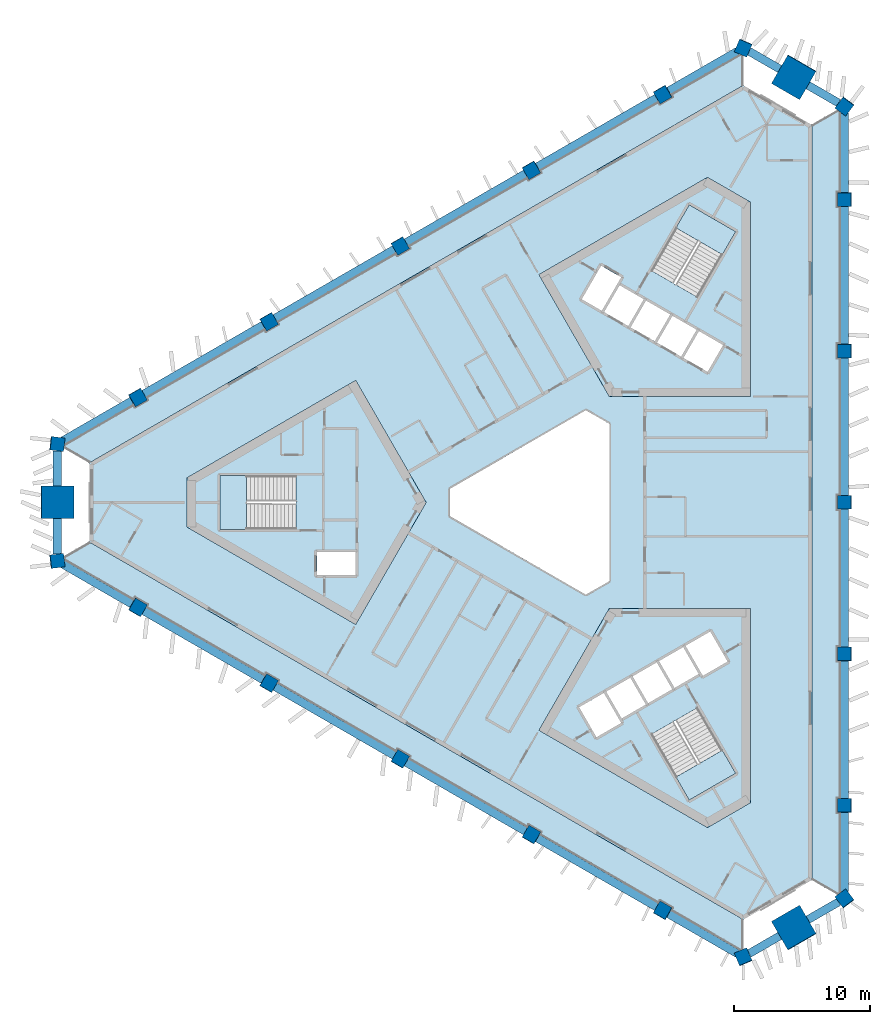
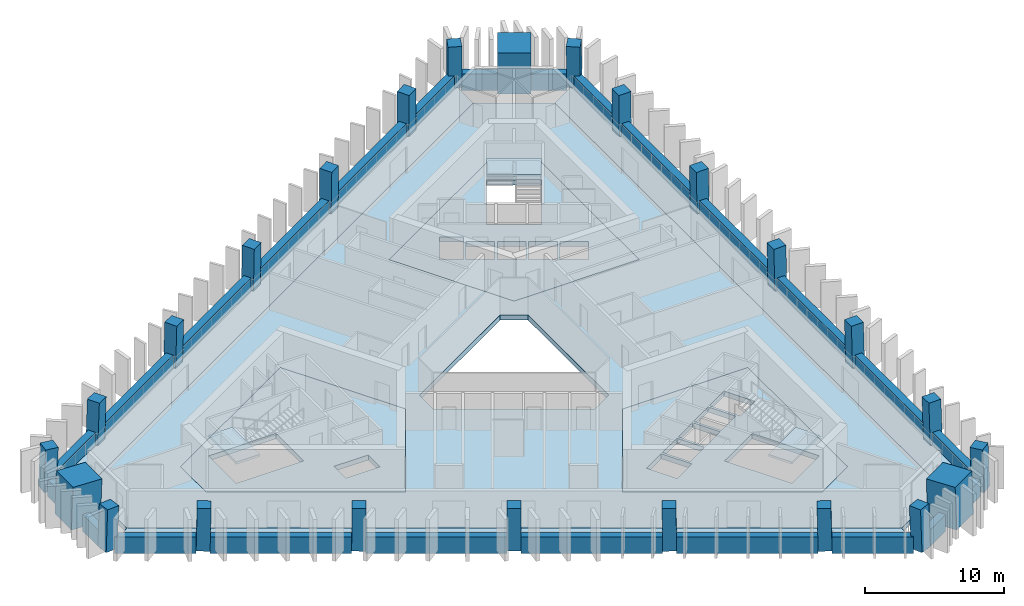
# One storey, part 1 of 10: 24 beams, 24 columns, 10 slabs, 3 elements without a shape of their own.
"""IFC4 building model written with IfcOpenShell, lengths in metres."""

from ifc_helpers import new_model, si_unit, direction, frame, origin, origin_2d, place, context, subcontext, project, spatial, polyline, rectangle, outline, extrude, material, layer, layer_set, material_profile, profile_set, type_object, element, aggregate, save


model = new_model("IFC4")

# Units and contexts
model_context = context("Model", 3, precision=1e-05, world=origin(), true_north=direction((0.0, 1.0)))
body_context = subcontext(model_context, "Body", "Model", "MODEL_VIEW")
ifc_project = project(units=[si_unit("LENGTHUNIT", "METRE"), si_unit("AREAUNIT", "SQUARE_METRE"), si_unit("VOLUMEUNIT", "CUBIC_METRE"), si_unit("PLANEANGLEUNIT", "RADIAN"), si_unit("MASSUNIT", "GRAM", prefix="KILO")], contexts=[model_context])

# Site, building, storey
site_placement = place(None, origin())
site = spatial("IfcSite", under=ifc_project, at=site_placement, CompositionType="ELEMENT")
building_placement = place(site_placement, origin())
building = spatial("IfcBuilding", under=site, at=building_placement, Name="Jabali Bay Hotel Tower and Convention Centre", CompositionType="ELEMENT")
storey_placement = place(building_placement, frame((0.0, 0.0, 140.10009765625)))
storey = spatial("IfcBuildingStorey", under=building, at=storey_placement, Name="L34", CompositionType="ELEMENT", Elevation=140.10009765625)

# Columns
ifc_material_1 = material(Name="Concrete C60", Category="concrete")
ifc_material_profile_1 = material_profile(ifc_material_1, rectangle(XDim=1.0, YDim=1.0, at=origin_2d()), Name="Frame column 1000")
ifc_profile_set_1 = profile_set([ifc_material_profile_1], Name="Concrete C60")
column_type_1 = type_object("IfcColumnType", Name="Frame column 1000", PredefinedType="COLUMN", material=ifc_profile_set_1)
column_1_placement = place(storey_placement, frame((83.42626953125, 110.06884765625, 0.0), z_axis=(-0.008376454378, -0.028163354484, 0.999568237028), x_axis=(0.865850871468, 0.499846877556, 0.02133933866)))
element("IfcColumn", 1, at=column_1_placement, inside=storey, type_object=column_type_1, Name="FC3 F1.1 L34", PredefinedType="COLUMN", context=body_context, shape_type="SweptSolid", body=[
    extrude(rectangle(XDim=1.0, YDim=1.0, at=origin_2d()), origin(), (0.0, 0.0, 1.0), 3.70166015625),
])
column_2_placement = place(storey_placement, frame((73.75634765625, 104.48583984375, 0.0), z_axis=(0.000857578916, -0.022824792675, 0.999739112668), x_axis=(0.866060219769, 0.499825848733, 0.01066848966)))
element("IfcColumn", 2, at=column_2_placement, inside=storey, type_object=column_type_1, Name="FC3 F1.2 L34", PredefinedType="COLUMN", context=body_context, shape_type="SweptSolid", body=[
    extrude(rectangle(XDim=1.0, YDim=1.0, at=origin_2d()), origin(), (0.0, 0.0, 1.0), 3.700927734375),
])
column_3_placement = place(storey_placement, frame((64.08642578125, 98.90283203125, 0.0), z_axis=(0.010093620709, -0.017482414954, 0.999796221231), x_axis=(0.866020200589, 0.50000901209, 8.5616e-08)))
element("IfcColumn", 3, at=column_3_placement, inside=storey, type_object=column_type_1, Name="FC3 F1.3 L34", PredefinedType="COLUMN", context=body_context, shape_type="SweptSolid", body=[
    extrude(rectangle(XDim=1.0, YDim=1.0, at=origin_2d()), origin(), (0.0, 0.0, 1.0), 3.70068359375),
])
column_4_placement = place(storey_placement, frame((54.41650390625, 93.320068359375, 0.0), z_axis=(0.019328501455, -0.012204002625, 0.999738701537), x_axis=(-0.498096589224, 0.866885952098, 0.020212220507)))
element("IfcColumn", 4, at=column_4_placement, inside=storey, type_object=column_type_1, Name="FC3 F1.4 L34", PredefinedType="COLUMN", context=body_context, shape_type="SweptSolid", body=[
    extrude(rectangle(XDim=1.0, YDim=1.0, at=origin_2d()), origin(), (0.0, 0.0, 1.0), 3.700927734375),
])
for number, where, z_axis, x_axis, name in (
    (5, (44.74658203125, 87.737060546875, 0.0), (0.02855911485, -0.006793507689, 0.999569019734), (-0.500407643461, 0.865554709988, 0.020180049142), "FC3 F1.5 L34"),
    (6, (44.74658203125, 72.262939453125, 0.0), (0.02855911485, 0.006793507689, 0.999569019734), (-0.865318766308, 0.500768301983, 0.021319953197), "FC3 F2.1 L34"),
):
    element("IfcColumn", number, at=place(storey_placement, frame(where, z_axis=z_axis, x_axis=x_axis)), inside=storey, type_object=column_type_1, Name=name, PredefinedType="COLUMN", context=body_context, shape_type="SweptSolid", body=[
        extrude(rectangle(XDim=1.0, YDim=1.0, at=origin_2d()), origin(), (0.0, 0.0, 1.0), 3.70166015625),
    ])
column_5_placement = place(storey_placement, frame((54.41650390625, 66.679931640625, 0.0), z_axis=(0.019328501455, 0.012204002625, 0.999738701537), x_axis=(-0.866906106124, 0.498357109285, 0.010676834304)))
element("IfcColumn", 7, at=column_5_placement, inside=storey, type_object=column_type_1, Name="FC3 F2.2 L34", PredefinedType="COLUMN", context=body_context, shape_type="SweptSolid", body=[
    extrude(rectangle(XDim=1.0, YDim=1.0, at=origin_2d()), origin(), (0.0, 0.0, 1.0), 3.700927734375),
])
column_6_placement = place(storey_placement, frame((64.08642578125, 61.09716796875, 0.0), z_axis=(0.010093620709, 0.017482414954, 0.999796221231), x_axis=(-0.499907122366, -0.865843723195, 0.020187025824)))
element("IfcColumn", 8, at=column_6_placement, inside=storey, type_object=column_type_1, Name="FC3 F2.3 L34", PredefinedType="COLUMN", context=body_context, shape_type="SweptSolid", body=[
    extrude(rectangle(XDim=1.0, YDim=1.0, at=origin_2d()), origin(), (0.0, 0.0, 1.0), 3.70068359375),
])
column_7_placement = place(storey_placement, frame((73.75634765625, 55.51416015625, 0.0), z_axis=(0.000857578916, 0.022824792675, 0.999739112668), x_axis=(-0.499938956565, -0.865825126557, 0.020196285069)))
element("IfcColumn", 9, at=column_7_placement, inside=storey, type_object=column_type_1, Name="FC3 F2.4 L34", PredefinedType="COLUMN", context=body_context, shape_type="SweptSolid", body=[
    extrude(rectangle(XDim=1.0, YDim=1.0, at=origin_2d()), origin(), (0.0, 0.0, 1.0), 3.700927734375),
])
for number, where, z_axis, x_axis, name in (
    (10, (83.42626953125, 49.93115234375, 0.0), (-0.008376454378, 0.028163354484, 0.999568237028), (-0.500232049542, -0.86565577712, 0.020198320458), "FC3 F2.5 L34"),
    (11, (96.8271484375, 57.668212890625, 0.0), (-0.020182659751, 0.021303918626, 0.999569308901), (0.000228267203, -0.99977282903, 0.021312865295), "FC3 F0.1 L34"),
):
    element("IfcColumn", number, at=place(storey_placement, frame(where, z_axis=z_axis, x_axis=x_axis)), inside=storey, type_object=column_type_1, Name=name, PredefinedType="COLUMN", context=body_context, shape_type="SweptSolid", body=[
        extrude(rectangle(XDim=1.0, YDim=1.0, at=origin_2d()), origin(), (0.0, 0.0, 1.0), 3.70166015625),
    ])
column_8_placement = place(storey_placement, frame((96.8271484375, 68.834228515625, 0.0), z_axis=(-0.020186102726, 0.010620792611, 0.999739826165), x_axis=(0.001532768534, -0.999942070948, 0.010653889845)))
element("IfcColumn", 12, at=column_8_placement, inside=storey, type_object=column_type_1, Name="FC3 F0.2 L34", PredefinedType="COLUMN", context=body_context, shape_type="SweptSolid", body=[
    extrude(rectangle(XDim=1.0, YDim=1.0, at=origin_2d()), origin(), (0.0, 0.0, 1.0), 3.700927734375),
])
column_9_placement = place(storey_placement, frame((96.8271484375, 80.0, 0.0), z_axis=(-0.020187241331, 0.0, 0.99979621688), x_axis=(0.0, -1.0, 0.0)))
element("IfcColumn", 13, at=column_9_placement, inside=storey, type_object=column_type_1, Name="FC3 F0.3 L34", PredefinedType="COLUMN", context=body_context, shape_type="SweptSolid", body=[
    extrude(rectangle(XDim=1.0, YDim=1.0, at=origin_2d()), origin(), (0.0, 0.0, 1.0), 3.70068359375),
])
column_10_placement = place(storey_placement, frame((96.8271484375, 91.165771484375, 0.0), z_axis=(-0.020186102726, -0.010620792611, 0.999739826165), x_axis=(0.999795064939, -0.001747430263, 0.020168654147)))
element("IfcColumn", 14, at=column_10_placement, inside=storey, type_object=column_type_1, Name="FC3 F0.4 L34", PredefinedType="COLUMN", context=body_context, shape_type="SweptSolid", body=[
    extrude(rectangle(XDim=1.0, YDim=1.0, at=origin_2d()), origin(), (0.0, 0.0, 1.0), 3.700927734375),
])
column_11_placement = place(storey_placement, frame((96.8271484375, 102.331787109375, 0.0), z_axis=(-0.020182659751, -0.021303918626, 0.999569308901), x_axis=(0.999796283319, -0.000658319199, 0.020173211851)))
element("IfcColumn", 15, at=column_11_placement, inside=storey, type_object=column_type_1, Name="FC3 F0.5 L34", PredefinedType="COLUMN", context=body_context, shape_type="SweptSolid", body=[
    extrude(rectangle(XDim=1.0, YDim=1.0, at=origin_2d()), origin(), (0.0, 0.0, 1.0), 3.70166015625),
])
for number, where, z_axis, x_axis, name in (
    (16, (96.8271484375, 50.810546875, 0.0), (-0.020178741915, 0.029015184452, 0.999375273581), (-0.800960745658, -0.59871564142, 0.001210220657), "FC3 V0 L34"),
    (17, (96.8271484375, 109.189453125, 0.0), (-0.020178741915, -0.029015184452, 0.999375273581), (0.598376722717, 0.80043594359, 0.035321352183), "FC3 V1 L34"),
    (18, (89.365234375, 113.49755859375, 0.0), (-0.015035141917, -0.031982648376, 0.99937533225), (0.919016211728, -0.39421788149, 0.00121016323), "FC3 V2 L34"),
    (19, (38.8076171875, 84.30810546875, 0.0), (0.03521388716, -0.002967462401, 0.999375393092), (-0.992386025594, 0.117994139773, 0.035317972547), "FC3 V3 L34"),
    (20, (38.8076171875, 75.69189453125, 0.0), (0.03521388716, 0.002967462401, 0.999375393092), (-0.118025244573, 0.993009857527, 0.001210164105), "FC3 V4 L34"),
    (21, (89.365234375, 46.50244140625, 0.0), (-0.015035141917, 0.031982648376, 0.99937533225), (0.393932922068, -0.918460326915, 0.035319694146), "FC3 V5 L34"),
):
    element("IfcColumn", number, at=place(storey_placement, frame(where, z_axis=z_axis, x_axis=x_axis)), inside=storey, type_object=column_type_1, Name=name, PredefinedType="COLUMN", context=body_context, shape_type="SweptSolid", body=[
        extrude(rectangle(XDim=1.0, YDim=1.0, at=origin_2d()), origin(), (0.0, 0.0, 1.0), 3.7021484375),
    ])
ifc_material_2 = material(Name="Concrete C70", Category="concrete")
ifc_material_profile_2 = material_profile(ifc_material_2, rectangle(XDim=2.39990234375, YDim=2.39990234375, at=origin_2d()), Name="Mega column 2400")
ifc_profile_set_2 = profile_set([ifc_material_profile_2], Name="Concrete C70")
column_type_2 = type_object("IfcColumnType", Name="Mega column 2400", PredefinedType="COLUMN", material=ifc_profile_set_2)
for number, where, z_axis, x_axis, name in (
    (22, (93.09619140625, 111.343505859375, 0.0), (-0.017607037296, -0.030466109479, 0.999380712447), (0.86581098392, -0.500371202332, 2.457e-09), "MC3 M1 L34"),
    (23, (38.8076171875, 80.0, 0.0), (0.035214042205, 0.0, 0.999379793288), (0.0, 1.0, 0.0), "MC3 M0 L34"),
    (24, (93.09619140625, 48.656494140625, 0.0), (-0.017607037296, 0.030466109479, 0.999380712447), (0.50005800412, -0.865276719279, 0.035187946645), "MC3 M2 L34"),
):
    element("IfcColumn", number, at=place(storey_placement, frame(where, z_axis=z_axis, x_axis=x_axis)), inside=storey, type_object=column_type_2, Name=name, PredefinedType="COLUMN", context=body_context, shape_type="SweptSolid", body=[
        extrude(rectangle(XDim=2.39990234375, YDim=2.39990234375, at=origin_2d()), origin(), (0.0, 0.0, 1.0), 3.7021484375),
    ])

# Beams
ifc_material_profile_3 = material_profile(ifc_material_1, rectangle(XDim=0.60009765625, YDim=1.449951171875, at=origin_2d()), Name="Spandrel 600x1450")
ifc_profile_set_3 = profile_set([ifc_material_profile_3], Name="Concrete C60")
beam_type = type_object("IfcBeamType", Name="Spandrel 600x1450", PredefinedType="SPANDREL", material=ifc_profile_set_3)
beam_1_placement = place(storey_placement, frame((92.05029296875, 111.93212890625, 0.375), z_axis=(-0.866038999434, 0.499976450906, 0.0), x_axis=(-0.499976450906, -0.866038999434, 0.0)))
element("IfcBeam", 25, at=beam_1_placement, inside=storey, type_object=beam_type, Name="Spandrel M1-V2 L34", PredefinedType="SPANDREL", context=body_context, shape_type="SweptSolid", body=[
    extrude(rectangle(XDim=0.60009765625, YDim=1.449951171875, at=origin_2d()), origin(), (0.0, 0.0, 1.0), 2.607177734375),
])
beam_2_placement = place(storey_placement, frame((88.926513671875, 113.235595703125, 0.375), z_axis=(-0.866014757362, -0.500018439692, 0.0), x_axis=(0.500018439692, -0.866014757362, 0.0)))
element("IfcBeam", 26, at=beam_2_placement, inside=storey, type_object=beam_type, Name="Spandrel V2-F1.1 L34", PredefinedType="SPANDREL", context=body_context, shape_type="SweptSolid", body=[
    extrude(rectangle(XDim=0.60009765625, YDim=1.449951171875, at=origin_2d()), origin(), (0.0, 0.0, 1.0), 5.854736328125),
])
beam_3_placement = place(storey_placement, frame((82.989990234375, 109.80810546875, 0.375), z_axis=(-0.866027149502, -0.499996976316, 0.0), x_axis=(0.499996976316, -0.866027149502, 0.0)))
element("IfcBeam", 27, at=beam_3_placement, inside=storey, type_object=beam_type, Name="Spandrel F1.1-F1.2 L34", PredefinedType="SPANDREL", context=body_context, shape_type="SweptSolid", body=[
    extrude(rectangle(XDim=0.60009765625, YDim=1.449951171875, at=origin_2d()), origin(), (0.0, 0.0, 1.0), 10.16162109375),
])
beam_4_placement = place(storey_placement, frame((73.32373046875, 104.227294921875, 0.375), z_axis=(-0.86602275259, -0.500004591975, 0.0), x_axis=(0.500004591975, -0.86602275259, 0.0)))
element("IfcBeam", 28, at=beam_4_placement, inside=storey, type_object=beam_type, Name="Spandrel F1.2-F1.3 L34", PredefinedType="SPANDREL", context=body_context, shape_type="SweptSolid", body=[
    extrude(rectangle(XDim=0.60009765625, YDim=1.449951171875, at=origin_2d()), origin(), (0.0, 0.0, 1.0), 10.162109375),
])
beam_5_placement = place(storey_placement, frame((63.6572265625, 98.646240234375, 0.375), z_axis=(-0.866033155645, -0.499986573144, 0.0), x_axis=(0.499986573144, -0.866033155645, 0.0)))
element("IfcBeam", 29, at=beam_5_placement, inside=storey, type_object=beam_type, Name="Spandrel F1.3-F1.4 L34", PredefinedType="SPANDREL", context=body_context, shape_type="SweptSolid", body=[
    extrude(rectangle(XDim=0.60009765625, YDim=1.449951171875, at=origin_2d()), origin(), (0.0, 0.0, 1.0), 10.161865234375),
])
beam_6_placement = place(storey_placement, frame((53.99072265625, 93.0654296875, 0.375), z_axis=(-0.86602275259, -0.500004591975, 0.0), x_axis=(0.500004591975, -0.86602275259, 0.0)))
element("IfcBeam", 30, at=beam_6_placement, inside=storey, type_object=beam_type, Name="Spandrel F1.4-F1.5 L34", PredefinedType="SPANDREL", context=body_context, shape_type="SweptSolid", body=[
    extrude(rectangle(XDim=0.60009765625, YDim=1.449951171875, at=origin_2d()), origin(), (0.0, 0.0, 1.0), 10.162109375),
])
beam_7_placement = place(storey_placement, frame((44.32421875, 87.484375, 0.375), z_axis=(-0.866032814021, -0.499987164874, 0.0), x_axis=(0.499987164874, -0.866032814021, 0.0)))
element("IfcBeam", 31, at=beam_7_placement, inside=storey, type_object=beam_type, Name="Spandrel F1.5-V3 L34", PredefinedType="SPANDREL", context=body_context, shape_type="SweptSolid", body=[
    extrude(rectangle(XDim=0.60009765625, YDim=1.449951171875, at=origin_2d()), origin(), (0.0, 0.0, 1.0), 5.854736328125),
])
for number, where, z_axis, x_axis, name in (
    (32, (38.82080078125, 83.80712890625, 0.375), (0.0, -1.0, 0.0), (1.0, 0.0, 0.0), "Spandrel V3-M0 L34"),
    (33, (38.82080078125, 78.800048828125, 0.375), (0.0, -1.0, 0.0), (1.0, 0.0, 0.0), "Spandrel M0-V4 L34"),
):
    element("IfcBeam", number, at=place(storey_placement, frame(where, z_axis=z_axis, x_axis=x_axis)), inside=storey, type_object=beam_type, Name=name, PredefinedType="SPANDREL", context=body_context, shape_type="SweptSolid", body=[
        extrude(rectangle(XDim=0.60009765625, YDim=1.449951171875, at=origin_2d()), origin(), (0.0, 0.0, 1.0), 2.607177734375),
    ])
beam_8_placement = place(storey_placement, frame((39.25390625, 75.44287109375, 0.375), z_axis=(0.866032814021, -0.499987164874, 0.0), x_axis=(0.499987164874, 0.866032814021, 0.0)))
element("IfcBeam", 34, at=beam_8_placement, inside=storey, type_object=beam_type, Name="Spandrel V4-F2.1 L34", PredefinedType="SPANDREL", context=body_context, shape_type="SweptSolid", body=[
    extrude(rectangle(XDim=0.60009765625, YDim=1.449951171875, at=origin_2d()), origin(), (0.0, 0.0, 1.0), 5.854736328125),
])
beam_9_placement = place(storey_placement, frame((45.190185546875, 72.015625, 0.375), z_axis=(0.86602275259, -0.500004591975, 0.0), x_axis=(0.500004591975, 0.86602275259, 0.0)))
element("IfcBeam", 35, at=beam_9_placement, inside=storey, type_object=beam_type, Name="Spandrel F2.1-F2.2 L34", PredefinedType="SPANDREL", context=body_context, shape_type="SweptSolid", body=[
    extrude(rectangle(XDim=0.60009765625, YDim=1.449951171875, at=origin_2d()), origin(), (0.0, 0.0, 1.0), 10.162109375),
])
beam_10_placement = place(storey_placement, frame((54.856689453125, 66.4345703125, 0.375), z_axis=(0.866033155645, -0.499986573144, 0.0), x_axis=(0.499986573144, 0.866033155645, 0.0)))
element("IfcBeam", 36, at=beam_10_placement, inside=storey, type_object=beam_type, Name="Spandrel F2.2-F2.3 L34", PredefinedType="SPANDREL", context=body_context, shape_type="SweptSolid", body=[
    extrude(rectangle(XDim=0.60009765625, YDim=1.449951171875, at=origin_2d()), origin(), (0.0, 0.0, 1.0), 10.161865234375),
])
beam_11_placement = place(storey_placement, frame((64.523193359375, 60.853759765625, 0.375), z_axis=(0.86602275259, -0.500004591975, 0.0), x_axis=(0.500004591975, 0.86602275259, 0.0)))
element("IfcBeam", 37, at=beam_11_placement, inside=storey, type_object=beam_type, Name="Spandrel F2.3-F2.4 L34", PredefinedType="SPANDREL", context=body_context, shape_type="SweptSolid", body=[
    extrude(rectangle(XDim=0.60009765625, YDim=1.449951171875, at=origin_2d()), origin(), (0.0, 0.0, 1.0), 10.162109375),
])
beam_12_placement = place(storey_placement, frame((74.189697265625, 55.272705078125, 0.375), z_axis=(0.866027149502, -0.499996976316, 0.0), x_axis=(0.499996976316, 0.866027149502, 0.0)))
element("IfcBeam", 38, at=beam_12_placement, inside=storey, type_object=beam_type, Name="Spandrel F2.4-F2.5 L34", PredefinedType="SPANDREL", context=body_context, shape_type="SweptSolid", body=[
    extrude(rectangle(XDim=0.60009765625, YDim=1.449951171875, at=origin_2d()), origin(), (0.0, 0.0, 1.0), 10.16162109375),
])
beam_13_placement = place(storey_placement, frame((83.856201171875, 49.69189453125, 0.375), z_axis=(0.866014757362, -0.500018439692, 0.0), x_axis=(0.500018439692, 0.866014757362, 0.0)))
element("IfcBeam", 39, at=beam_13_placement, inside=storey, type_object=beam_type, Name="Spandrel F2.5-V5 L34", PredefinedType="SPANDREL", context=body_context, shape_type="SweptSolid", body=[
    extrude(rectangle(XDim=0.60009765625, YDim=1.449951171875, at=origin_2d()), origin(), (0.0, 0.0, 1.0), 5.854736328125),
])
for number, where, z_axis, x_axis, name in (
    (40, (89.79248046875, 46.764404296875, 0.375), (0.866038999434, 0.499976450906, 0.0), (-0.499976450906, 0.866038999434, 0.0), "Spandrel V5-M2 L34"),
    (41, (94.12890625, 49.267822265625, 0.375), (0.865998449813, 0.500046682742, 0.0), (-0.500046682742, 0.865998449813, 0.0), "Spandrel M2-V0 L34"),
):
    element("IfcBeam", number, at=place(storey_placement, frame(where, z_axis=z_axis, x_axis=x_axis)), inside=storey, type_object=beam_type, Name=name, PredefinedType="SPANDREL", context=body_context, shape_type="SweptSolid", body=[
        extrude(rectangle(XDim=0.60009765625, YDim=1.449951171875, at=origin_2d()), origin(), (0.0, 0.0, 1.0), 2.607177734375),
    ])
beam_14_placement = place(storey_placement, frame((96.819580078125, 51.321533203125, 0.375), z_axis=(0.0, 1.0, 0.0), x_axis=(-1.0, 0.0, 0.0)))
element("IfcBeam", 42, at=beam_14_placement, inside=storey, type_object=beam_type, Name="Spandrel V0-F0.1 L34", PredefinedType="SPANDREL", context=body_context, shape_type="SweptSolid", body=[
    extrude(rectangle(XDim=0.60009765625, YDim=1.449951171875, at=origin_2d()), origin(), (0.0, 0.0, 1.0), 5.854736328125),
])
for number, where, z_axis, x_axis, name in (
    (43, (96.819580078125, 58.17626953125, 0.375), (0.0, 1.0, 0.0), (-1.0, 0.0, 0.0), "Spandrel F0.1-F0.2 L34"),
    (44, (96.819580078125, 69.338134765625, 0.375), (0.0, 1.0, 0.0), (-1.0, 0.0, 0.0), "Spandrel F0.2-F0.3 L34"),
    (45, (96.819580078125, 80.5, 0.375), (0.0, 1.0, 0.0), (-1.0, 0.0, 0.0), "Spandrel F0.3-F0.4 L34"),
    (46, (96.819580078125, 91.661865234375, 0.375), (0.0, 1.0, 0.0), (-1.0, 0.0, 0.0), "Spandrel F0.4-F0.5 L34"),
):
    element("IfcBeam", number, at=place(storey_placement, frame(where, z_axis=z_axis, x_axis=x_axis)), inside=storey, type_object=beam_type, Name=name, PredefinedType="SPANDREL", context=body_context, shape_type="SweptSolid", body=[
        extrude(rectangle(XDim=0.60009765625, YDim=1.449951171875, at=origin_2d()), origin(), (0.0, 0.0, 1.0), 10.161865234375),
    ])
beam_15_placement = place(storey_placement, frame((96.819580078125, 102.82373046875, 0.375), z_axis=(0.0, 1.0, 0.0), x_axis=(-1.0, 0.0, 0.0)))
element("IfcBeam", 47, at=beam_15_placement, inside=storey, type_object=beam_type, Name="Spandrel F0.5-V1 L34", PredefinedType="SPANDREL", context=body_context, shape_type="SweptSolid", body=[
    extrude(rectangle(XDim=0.60009765625, YDim=1.449951171875, at=origin_2d()), origin(), (0.0, 0.0, 1.0), 5.854736328125),
])
beam_16_placement = place(storey_placement, frame((96.38671875, 109.428466796875, 0.375), z_axis=(-0.865998449813, 0.500046682742, 0.0), x_axis=(-0.500046682742, -0.865998449813, 0.0)))
element("IfcBeam", 48, at=beam_16_placement, inside=storey, type_object=beam_type, Name="Spandrel V1-M1 L34", PredefinedType="SPANDREL", context=body_context, shape_type="SweptSolid", body=[
    extrude(rectangle(XDim=0.60009765625, YDim=1.449951171875, at=origin_2d()), origin(), (0.0, 0.0, 1.0), 2.607177734375),
])

# Slabs
ifc_material_3 = material(Name="Concrete C40", Category="concrete")
ifc_layer_1 = layer(ifc_material_3, 0.449951171875)
ifc_layer_set_1 = layer_set([ifc_layer_1], Name="Concrete C40")
slab_type_1 = type_object("IfcSlabType", Name="Core floor slab 450", PredefinedType="FLOOR", material=ifc_layer_set_1)
slab_1_placement = place(storey_placement, frame((0.0, 0.0, -0.4501953125)))
element("IfcSlab", 49, at=slab_1_placement, inside=storey, type_object=slab_type_1, Name="Core floor slab 1 L34", PredefinedType="FLOOR", context=body_context, shape_type="SweptSolid", body=[
    extrude(outline(polyline([(66.0, 80.0), (60.81005859375, 88.9892578125), (48.39697265625, 81.82275390625), (48.39697265625, 78.17724609375), (60.81005859375, 71.0107421875), (66.0, 80.0)]), holes=[polyline([(60.800048828125, 76.35009765625), (57.949951171875, 76.35009765625), (57.949951171875, 74.64990234375), (60.800048828125, 74.64990234375), (60.800048828125, 76.35009765625)]), polyline([(50.820068359375, 81.97509765625), (50.820068359375, 78.02490234375), (56.409912109375, 78.02490234375), (56.409912109375, 81.97509765625), (50.820068359375, 81.97509765625)])]), origin(), (0.0, 0.0, 1.0), 0.4501953125),
])
slab_2_placement = place(storey_placement, frame((0.0, 0.0, -0.4501953125)))
element("IfcSlab", 50, at=slab_2_placement, inside=storey, type_object=slab_type_1, Name="Core floor slab 2 L34", PredefinedType="FLOOR", context=body_context, shape_type="SweptSolid", body=[
    extrude(outline(polyline([(79.5, 87.794189453125), (89.8798828125, 87.794189453125), (89.8798828125, 102.127685546875), (86.72314453125, 103.9501953125), (74.31005859375, 96.78369140625), (79.5, 87.794189453125)]), holes=[polyline([(84.957763671875, 90.6474609375), (86.733154296875, 89.62255859375), (87.873291015625, 91.59716796875), (86.097900390625, 92.6220703125), (84.957763671875, 90.6474609375)]), polyline([(84.1494140625, 93.7470703125), (83.00927734375, 91.7724609375), (84.78466796875, 90.74755859375), (85.924560546875, 92.72216796875), (84.1494140625, 93.7470703125)]), polyline([(82.20068359375, 94.8720703125), (81.060791015625, 92.8974609375), (82.836181640625, 91.87255859375), (83.97607421875, 93.84716796875), (82.20068359375, 94.8720703125)]), polyline([(79.1123046875, 94.0224609375), (80.887451171875, 92.99755859375), (82.027587890625, 94.97216796875), (80.252197265625, 95.9970703125), (79.1123046875, 94.0224609375)]), polyline([(78.891845703125, 97.440673828125), (77.466796875, 94.97265625), (78.93896484375, 94.12255859375), (80.364013671875, 96.5908203125), (78.891845703125, 97.440673828125)]), polyline([(82.584716796875, 97.0869140625), (86.00537109375, 95.11181640625), (88.80029296875, 99.952880859375), (85.379638671875, 101.927978515625), (82.584716796875, 97.0869140625)])]), origin(), (0.0, 0.0, 1.0), 0.4501953125),
])
slab_3_placement = place(storey_placement, frame((0.0, 0.0, -0.4501953125)))
element("IfcSlab", 51, at=slab_3_placement, inside=storey, type_object=slab_type_1, Name="Core floor slab 3 L34", PredefinedType="FLOOR", context=body_context, shape_type="SweptSolid", body=[
    extrude(outline(polyline([(79.5, 72.205810546875), (74.31005859375, 63.21630859375), (86.72314453125, 56.0498046875), (89.8798828125, 57.872314453125), (89.8798828125, 72.205810546875), (79.5, 72.205810546875)]), holes=[polyline([(82.584716796875, 62.9130859375), (85.379638671875, 58.072021484375), (88.80029296875, 60.047119140625), (86.00537109375, 64.88818359375), (82.584716796875, 62.9130859375)]), polyline([(80.365478515625, 63.756591796875), (79.090576171875, 65.96484375), (77.27197265625, 64.9150390625), (78.546875, 62.70654296875), (80.365478515625, 63.756591796875)]), polyline([(82.17919921875, 65.115478515625), (81.0390625, 67.08984375), (79.263671875, 66.06494140625), (80.40380859375, 64.09033203125), (82.17919921875, 65.115478515625)]), polyline([(82.98779296875, 68.21484375), (81.21240234375, 67.18994140625), (82.352294921875, 65.21533203125), (84.127685546875, 66.240478515625), (82.98779296875, 68.21484375)]), polyline([(86.076171875, 67.365478515625), (84.936279296875, 69.33984375), (83.160888671875, 68.31494140625), (84.30078125, 66.34033203125), (86.076171875, 67.365478515625)]), polyline([(88.203125, 68.281494140625), (86.927978515625, 70.489990234375), (85.109375, 69.43994140625), (86.384521484375, 67.231689453125), (88.203125, 68.281494140625)])]), origin(), (0.0, 0.0, 1.0), 0.4501953125),
])
ifc_layer_2 = layer(ifc_material_3, 0.199951171875)
ifc_layer_set_2 = layer_set([ifc_layer_2], Name="Concrete C40")
slab_type_2 = type_object("IfcSlabType", Name="Loggia slab 200", PredefinedType="FLOOR", material=ifc_layer_set_2)
slab_4_placement = place(storey_placement, frame((0.0, 0.0, -0.2001953125)))
element("IfcSlab", 52, at=slab_4_placement, inside=storey, type_object=slab_type_2, Name="Loggia slab east face L34", PredefinedType="FLOOR", context=body_context, shape_type="SweptSolid", body=[
    extrude(outline(polyline([(94.42724609375, 107.8037109375), (96.35595703125, 108.91748046875), (96.527099609375, 108.78955078125), (96.527099609375, 102.831787109375), (96.3271484375, 102.831787109375), (96.3271484375, 101.831787109375), (96.527099609375, 101.831787109375), (96.527099609375, 91.665771484375), (96.3271484375, 91.665771484375), (96.3271484375, 90.665771484375), (96.527099609375, 90.665771484375), (96.527099609375, 80.5), (96.3271484375, 80.5), (96.3271484375, 79.5), (96.527099609375, 79.5), (96.527099609375, 69.334228515625), (96.3271484375, 69.334228515625), (96.3271484375, 68.334228515625), (96.527099609375, 68.334228515625), (96.527099609375, 58.168212890625), (96.3271484375, 58.168212890625), (96.3271484375, 57.168212890625), (96.527099609375, 57.168212890625), (96.527099609375, 51.21044921875), (96.35595703125, 51.08251953125), (94.42724609375, 52.1962890625), (94.42724609375, 107.8037109375)])), origin(), (0.0, 0.0, 1.0), 0.2001953125),
])
slab_5_placement = place(storey_placement, frame((0.0, 0.0, -0.2001953125)))
element("IfcSlab", 53, at=slab_5_placement, inside=storey, type_object=slab_type_2, Name="Loggia slab north-west face L34", PredefinedType="FLOOR", context=body_context, shape_type="SweptSolid", body=[
    extrude(outline(polyline([(41.20751953125, 82.922607421875), (39.27880859375, 84.0361328125), (39.303955078125, 84.248291015625), (44.463623046875, 87.227294921875), (44.5634765625, 87.053955078125), (45.429443359375, 87.553955078125), (45.32958984375, 87.727294921875), (54.133544921875, 92.81005859375), (54.2333984375, 92.636962890625), (55.099365234375, 93.136962890625), (54.99951171875, 93.31005859375), (63.803466796875, 98.39306640625), (63.9033203125, 98.219970703125), (64.76953125, 98.719970703125), (64.66943359375, 98.89306640625), (73.473388671875, 103.97607421875), (73.5732421875, 103.802734375), (74.439453125, 104.302734375), (74.33935546875, 104.47607421875), (83.143310546875, 109.55908203125), (83.2431640625, 109.3857421875), (84.109375, 109.8857421875), (84.00927734375, 110.05908203125), (89.168701171875, 113.037841796875), (89.365234375, 112.95361328125), (89.365234375, 110.726318359375), (41.20751953125, 82.922607421875)])), origin(), (0.0, 0.0, 1.0), 0.2001953125),
])
slab_6_placement = place(storey_placement, frame((0.0, 0.0, -0.2001953125)))
element("IfcSlab", 54, at=slab_6_placement, inside=storey, type_object=slab_type_2, Name="Loggia slab south-west face L34", PredefinedType="FLOOR", context=body_context, shape_type="SweptSolid", body=[
    extrude(outline(polyline([(89.365234375, 49.273681640625), (89.365234375, 47.04638671875), (89.168701171875, 46.962158203125), (84.00927734375, 49.94091796875), (84.109375, 50.1142578125), (83.2431640625, 50.6142578125), (83.143310546875, 50.44091796875), (74.33935546875, 55.52392578125), (74.439453125, 55.697265625), (73.5732421875, 56.197265625), (73.473388671875, 56.02392578125), (64.66943359375, 61.10693359375), (64.76953125, 61.280029296875), (63.9033203125, 61.780029296875), (63.803466796875, 61.60693359375), (54.99951171875, 66.68994140625), (55.099365234375, 66.863037109375), (54.2333984375, 67.363037109375), (54.133544921875, 67.18994140625), (45.32958984375, 72.272705078125), (45.429443359375, 72.446044921875), (44.5634765625, 72.946044921875), (44.463623046875, 72.772705078125), (39.303955078125, 75.751708984375), (39.27880859375, 75.9638671875), (41.20751953125, 77.077392578125), (89.365234375, 49.273681640625)])), origin(), (0.0, 0.0, 1.0), 0.2001953125),
])
ifc_layer_3 = layer(ifc_material_3, 0.449951171875)
ifc_layer_set_3 = layer_set([ifc_layer_3], Name="Concrete C40")
slab_type_3 = type_object("IfcSlabType", Name="Post-tensioned flat slab 450", PredefinedType="FLOOR", material=ifc_layer_set_3)
slab_7_placement = place(storey_placement, frame((0.0, 0.0, -0.4501953125)))
element("IfcSlab", 55, at=slab_7_placement, inside=storey, type_object=slab_type_3, Name="Floor slab L34", PredefinedType="FLOOR", context=body_context, shape_type="SweptSolid", body=[
    extrude(outline(polyline([(89.365234375, 110.726318359375), (94.42724609375, 107.8037109375), (94.42724609375, 52.1962890625), (89.365234375, 49.273681640625), (41.20751953125, 77.077392578125), (41.20751953125, 82.922607421875), (89.365234375, 110.726318359375)]), holes=[polyline([(67.73193359375, 79.0), (77.76806640625, 73.205810546875), (79.5, 74.205810546875), (79.5, 85.794189453125), (77.76806640625, 86.794189453125), (67.73193359375, 81.0), (67.73193359375, 79.0)]), polyline([(48.39697265625, 78.17724609375), (60.81005859375, 71.0107421875), (66.0, 80.0), (60.81005859375, 88.9892578125), (48.39697265625, 81.82275390625), (48.39697265625, 78.17724609375)]), polyline([(89.8798828125, 102.127685546875), (86.72314453125, 103.9501953125), (74.31005859375, 96.78369140625), (79.5, 87.794189453125), (89.8798828125, 87.794189453125), (89.8798828125, 102.127685546875)]), polyline([(74.31005859375, 63.21630859375), (86.72314453125, 56.0498046875), (89.8798828125, 57.872314453125), (89.8798828125, 72.205810546875), (79.5, 72.205810546875), (74.31005859375, 63.21630859375)])]), origin(), (0.0, 0.0, 1.0), 0.4501953125),
])

# Stair, slab
stair_type = type_object("IfcStairType", Name="Exit stair 1900", PredefinedType="HALF_TURN_STAIR", material=ifc_material_3)
stair_1_placement = place(storey_placement, origin())
stair_1 = element("IfcStair", 56, at=stair_1_placement, inside=storey, type_object=stair_type, Name="L34 Exit Stair 1", PredefinedType="HALF_TURN_STAIR")
ifc_layer_4 = layer(ifc_material_3, 0.199951171875)
ifc_layer_set_4 = layer_set([ifc_layer_4], Name="Concrete C40")
slab_type_4 = type_object("IfcSlabType", Name="Stair landing 200", PredefinedType="LANDING", material=ifc_layer_set_4)
slab_8_placement = place(storey_placement, frame((0.0, 0.0, 1.64990234375)))
slab_8 = element("IfcSlab", 57, at=slab_8_placement, type_object=slab_type_4, Name="ST1 landing 1", PredefinedType="LANDING", context=body_context, shape_type="SweptSolid", body=[
    extrude(outline(polyline([(52.782958984375, 81.97509765625), (50.820068359375, 81.97509765625), (50.820068359375, 78.02490234375), (52.782958984375, 78.02490234375), (52.782958984375, 81.97509765625)])), origin(), (0.0, 0.0, 1.0), 0.199951171875),
])
aggregate(stair_1, [slab_8])

stair_2_placement = place(storey_placement, origin())
stair_2 = element("IfcStair", 58, at=stair_2_placement, inside=storey, type_object=stair_type, Name="L34 Exit Stair 2", PredefinedType="HALF_TURN_STAIR")
slab_9_placement = place(storey_placement, frame((0.0, 0.0, 1.64990234375)))
slab_9 = element("IfcSlab", 59, at=slab_9_placement, type_object=slab_type_4, Name="ST2 landing 1", PredefinedType="LANDING", context=body_context, shape_type="SweptSolid", body=[
    extrude(outline(polyline([(87.81884765625, 98.2529296875), (88.80029296875, 99.952880859375), (85.379638671875, 101.927978515625), (84.398193359375, 100.22802734375), (87.81884765625, 98.2529296875)])), origin(), (0.0, 0.0, 1.0), 0.199951171875),
])
aggregate(stair_2, [slab_9])

stair_3_placement = place(storey_placement, origin())
stair_3 = element("IfcStair", 60, at=stair_3_placement, inside=storey, type_object=stair_type, Name="L34 Exit Stair 3", PredefinedType="HALF_TURN_STAIR")
slab_10_placement = place(storey_placement, frame((0.0, 0.0, 1.64990234375)))
slab_10 = element("IfcSlab", 61, at=slab_10_placement, type_object=slab_type_4, Name="ST3 landing 1", PredefinedType="LANDING", context=body_context, shape_type="SweptSolid", body=[
    extrude(outline(polyline([(84.398193359375, 59.77197265625), (85.379638671875, 58.072021484375), (88.80029296875, 60.047119140625), (87.81884765625, 61.7470703125), (84.398193359375, 59.77197265625)])), origin(), (0.0, 0.0, 1.0), 0.199951171875),
])
aggregate(stair_3, [slab_10])

save(model, "model.ifc")
